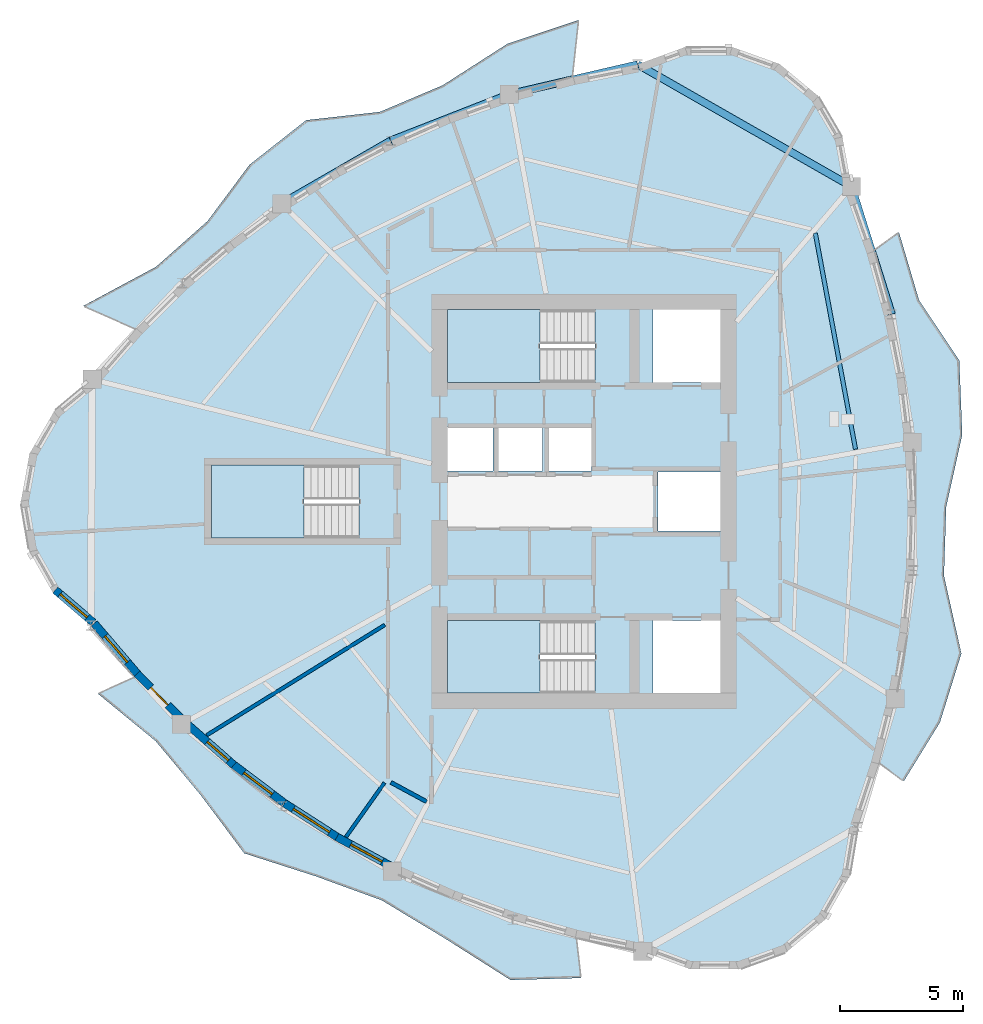
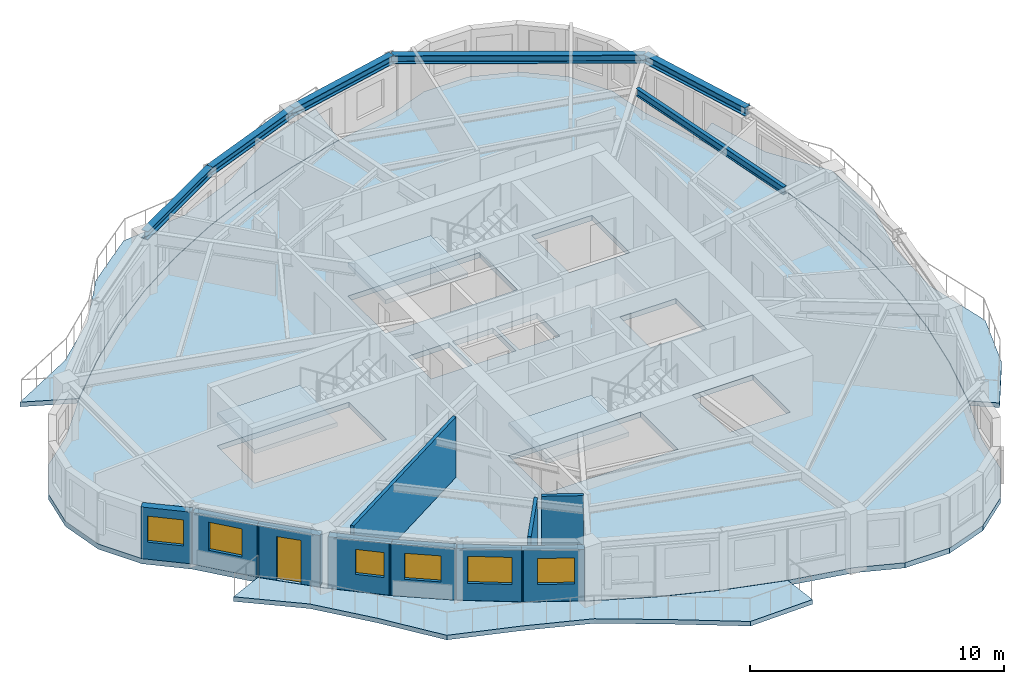
# One storey, part 2 of 12: 10 walls, 7 slabs, 6 beams, 6 windows, 1 door, 7 openings, 3 elements without a shape of their own.
"""IFC4 building model written with IfcOpenShell, lengths in metres."""

from ifc_helpers import new_model, si_unit, direction, frame, frame_2d, origin, origin_2d, place, context, subcontext, project, spatial, polyline, rectangle, i_section, outline, extrude, source, transform, mapped, material, layer, layer_set, material_profile, profile_set, type_object, element, fill, aggregate, save


model = new_model("IFC4")

# Units and contexts
model_context = context("Model", 3, precision=1e-05, world=origin(), true_north=direction((0.0, 1.0)))
body_context = subcontext(model_context, "Body", "Model", "MODEL_VIEW")
ifc_project = project(units=[si_unit("LENGTHUNIT", "METRE"), si_unit("AREAUNIT", "SQUARE_METRE"), si_unit("VOLUMEUNIT", "CUBIC_METRE"), si_unit("PLANEANGLEUNIT", "RADIAN"), si_unit("MASSUNIT", "GRAM", prefix="KILO")], contexts=[model_context])

# Site, building, storey
site_placement = place(None, origin())
site = spatial("IfcSite", under=ifc_project, at=site_placement, CompositionType="ELEMENT")
building_placement = place(site_placement, origin())
building = spatial("IfcBuilding", under=site, at=building_placement, Name="Qafzar Sky-Pleat Residences", CompositionType="ELEMENT")
storey_placement = place(building_placement, frame((0.0, 0.0, 187.39990234375)))
storey = spatial("IfcBuildingStorey", under=building, at=storey_placement, Name="L56", CompositionType="ELEMENT", Elevation=187.39990234375)

# Beams
ifc_material_1 = material(Name="Steel S355", Category="steel")
ifc_material_profile_1 = material_profile(ifc_material_1, i_section(OverallWidth=0.300048828125, OverallDepth=0.39990234375, WebThickness=0.013427734375, FlangeThickness=0.02392578125, FilletRadius=0.027099609375, at=origin_2d()), Name="HEB 400")
ifc_profile_set_1 = profile_set([ifc_material_profile_1], Name="Steel S355")
beam_type_1 = type_object("IfcBeamType", Name="BM-SPAN-HEB400", PredefinedType="SPANDREL", material=ifc_profile_set_1)
shared_shape_1 = source(origin(), body_context, "Body", "SweptSolid", [
    extrude(i_section(OverallWidth=0.300048828125, OverallDepth=0.39990234375, WebThickness=0.013427734375, FlangeThickness=0.02392578125, FilletRadius=0.027099609375, at=origin_2d()), origin(), (0.0, 0.0, 1.0), 10.017578125),
])
beam_1_placement = place(storey_placement, frame((41.22900390625, 38.8125, 2.697998046875), z_axis=(-0.86844553877, 0.495784576394, 0.0), x_axis=(-0.495784576394, -0.86844553877, 0.0)))
element("IfcBeam", 1, at=beam_1_placement, inside=storey, type_object=beam_type_1, Name="L56 Perimeter Spandrel Beam 13", PredefinedType="SPANDREL", context=body_context, shape_type="MappedRepresentation", body=[
    mapped(shared_shape_1, transform((0.0, 0.0, 0.0), x_axis=(1.0, 0.0, 0.0), y_axis=(0.0, 1.0, 0.0), z_axis=(0.0, 0.0, 1.0), scale=1.0)),
])
shared_shape_2 = source(origin(), body_context, "Body", "SweptSolid", [
    extrude(i_section(OverallWidth=0.300048828125, OverallDepth=0.39990234375, WebThickness=0.013427734375, FlangeThickness=0.02392578125, FilletRadius=0.027099609375, at=origin_2d()), origin(), (0.0, 0.0, 1.0), 5.4482421875),
])
beam_2_placement = place(storey_placement, frame((42.864501953125, 33.615478515625, 2.697998046875), z_axis=(-0.300185458928, 0.95388085747, 0.0), x_axis=(-0.95388085747, -0.300185458928, 0.0)))
element("IfcBeam", 2, at=beam_2_placement, inside=storey, type_object=beam_type_1, Name="L56 Perimeter Spandrel Beam 12", PredefinedType="SPANDREL", context=body_context, shape_type="MappedRepresentation", body=[
    mapped(shared_shape_2, transform((0.0, 0.0, 0.0), x_axis=(1.0, 0.0, 0.0), y_axis=(0.0, 1.0, 0.0), z_axis=(0.0, 0.0, 1.0), scale=1.0)),
])
shared_shape_3 = source(origin(), body_context, "Body", "SweptSolid", [
    extrude(i_section(OverallWidth=0.300048828125, OverallDepth=0.39990234375, WebThickness=0.013427734375, FlangeThickness=0.02392578125, FilletRadius=0.027099609375, at=origin_2d()), origin(), (0.0, 0.0, 1.0), 5.356201171875),
])
beam_3_placement = place(storey_placement, frame((32.529296875, 43.779052734375, 2.697998046875), z_axis=(-0.974013405705, -0.226490365153, 0.0), x_axis=(0.226490365153, -0.974013405705, 0.0)))
element("IfcBeam", 3, at=beam_3_placement, inside=storey, type_object=beam_type_1, Name="L56 Perimeter Spandrel Beam 14", PredefinedType="SPANDREL", context=body_context, shape_type="MappedRepresentation", body=[
    mapped(shared_shape_3, transform((0.0, 0.0, 0.0), x_axis=(1.0, 0.0, 0.0), y_axis=(0.0, 1.0, 0.0), z_axis=(0.0, 0.0, 1.0), scale=1.0)),
])
shared_shape_4 = source(origin(), body_context, "Body", "SweptSolid", [
    extrude(i_section(OverallWidth=0.300048828125, OverallDepth=0.39990234375, WebThickness=0.013427734375, FlangeThickness=0.02392578125, FilletRadius=0.027099609375, at=origin_2d()), origin(), (0.0, 0.0, 1.0), 5.183837890625),
])
beam_4_placement = place(storey_placement, frame((27.312255859375, 42.56591796875, 2.697998046875), z_axis=(-0.931323360566, -0.36419335258, 0.0), x_axis=(0.36419335258, -0.931323360566, 0.0)))
element("IfcBeam", 4, at=beam_4_placement, inside=storey, type_object=beam_type_1, Name="L56 Perimeter Spandrel Beam 15", PredefinedType="SPANDREL", context=body_context, shape_type="MappedRepresentation", body=[
    mapped(shared_shape_4, transform((0.0, 0.0, 0.0), x_axis=(1.0, 0.0, 0.0), y_axis=(0.0, 1.0, 0.0), z_axis=(0.0, 0.0, 1.0), scale=1.0)),
])
shared_shape_5 = source(origin(), body_context, "Body", "SweptSolid", [
    extrude(i_section(OverallWidth=0.300048828125, OverallDepth=0.39990234375, WebThickness=0.013427734375, FlangeThickness=0.02392578125, FilletRadius=0.027099609375, at=origin_2d()), origin(), (0.0, 0.0, 1.0), 5.124755859375),
])
beam_5_placement = place(storey_placement, frame((22.484375, 40.677978515625, 2.697998046875), z_axis=(-0.866038823222, -0.499976756132, 0.0), x_axis=(0.499976756132, -0.866038823222, 0.0)))
element("IfcBeam", 5, at=beam_5_placement, inside=storey, type_object=beam_type_1, Name="L56 Perimeter Spandrel Beam 16", PredefinedType="SPANDREL", context=body_context, shape_type="MappedRepresentation", body=[
    mapped(shared_shape_5, transform((0.0, 0.0, 0.0), x_axis=(1.0, 0.0, 0.0), y_axis=(0.0, 1.0, 0.0), z_axis=(0.0, 0.0, 1.0), scale=1.0)),
])
ifc_material_profile_2 = material_profile(ifc_material_1, i_section(OverallWidth=0.169921875, OverallDepth=0.360107421875, WebThickness=0.008056640625, FlangeThickness=0.0126953125, FilletRadius=0.01806640625, at=origin_2d()), Name="IPE 360")
ifc_profile_set_2 = profile_set([ifc_material_profile_2], Name="Steel S355")
beam_type_2 = type_object("IfcBeamType", Name="BM-JST-IPE360", PredefinedType="JOIST", material=ifc_profile_set_2)
shared_shape_6 = source(origin(), body_context, "Body", "SweptSolid", [
    extrude(i_section(OverallWidth=0.169921875, OverallDepth=0.360107421875, WebThickness=0.008056640625, FlangeThickness=0.0126953125, FilletRadius=0.01806640625, at=origin_2d()), origin(), (0.0, 0.0, 1.0), 8.9375),
])
beam_6_placement = place(storey_placement, frame((41.392333984375, 28.1298828125, 2.718017578125), z_axis=(-0.183018436338, 0.983109481167, 0.0), x_axis=(-0.983109481167, -0.183018436338, 0.0)))
element("IfcBeam", 6, at=beam_6_placement, inside=storey, type_object=beam_type_2, Name="L56 Outer Secondary Floor Joist 6", PredefinedType="JOIST", context=body_context, shape_type="MappedRepresentation", body=[
    mapped(shared_shape_6, transform((0.0, 0.0, 0.0), x_axis=(1.0, 0.0, 0.0), y_axis=(0.0, 1.0, 0.0), z_axis=(0.0, 0.0, 1.0), scale=1.0)),
])

# Slabs
ifc_material_2 = material(Name="Concrete C40/50", Category="concrete")
ifc_layer_1 = layer(ifc_material_2, 0.219970703125)
ifc_layer_set_1 = layer_set([ifc_layer_1], Name="Concrete C40/50")
slab_type_1 = type_object("IfcSlabType", Name="SLAB-BAL-220", PredefinedType="USERDEFINED", material=ifc_layer_set_1)
slab_1_placement = place(storey_placement, frame((0.0, 0.0, -0.219970703125)))
element("IfcSlab", 7, at=slab_1_placement, inside=storey, type_object=slab_type_1, Name="L56 Pleated Stone Balcony 1", ObjectType="BALCONY", PredefinedType="USERDEFINED", context=body_context, shape_type="SweptSolid", body=[
    extrude(outline(polyline([(43.027099609375, 17.9716796875), (43.497802734375, 20.58447265625), (43.77001953125, 23.195556640625), (43.843994140625, 25.804931640625), (43.719482421875, 28.412109375), (43.396484375, 31.017578125), (42.875, 33.620849609375), (42.155517578125, 36.221923828125), (43.1591796875, 36.94677734375), (43.976806640625, 34.185302734375), (45.612548828125, 31.73974609375), (45.73388671875, 28.72119140625), (45.081787109375, 25.78955078125), (44.989013671875, 22.978759765625), (45.697998046875, 19.815673828125), (44.82470703125, 17.011474609375), (43.352783203125, 14.619873046875), (42.358154296875, 15.357177734375), (43.027099609375, 17.9716796875)])), origin(), (0.0, 0.0, 1.0), 0.219970703125),
])
slab_2_placement = place(storey_placement, frame((0.0, 0.0, -0.219970703125)))
element("IfcSlab", 8, at=slab_2_placement, inside=storey, type_object=slab_type_1, Name="L56 Pleated Stone Balcony 2", ObjectType="BALCONY", PredefinedType="USERDEFINED", context=body_context, shape_type="SweptSolid", body=[
    extrude(outline(polyline([(27.311767578125, 42.577880859375), (24.84716796875, 41.71826171875), (22.480224609375, 40.689208984375), (20.210693359375, 39.49169921875), (18.03857421875, 38.125), (15.964111328125, 36.58935546875), (13.9873046875, 34.885009765625), (12.108154296875, 33.011962890625), (9.9755859375, 33.952880859375), (12.941650390625, 35.548095703125), (15.03466796875, 37.4072265625), (16.744873046875, 39.69970703125), (19.045166015625, 41.510009765625), (22.044677734375, 41.84814453125), (24.603759765625, 42.931884765625), (27.227294921875, 44.614013671875), (30.124755859375, 45.586181640625), (29.873291015625, 43.268798828125), (27.311767578125, 42.577880859375)])), origin(), (0.0, 0.0, 1.0), 0.219970703125),
])
slab_3_placement = place(storey_placement, frame((0.0, 0.0, -0.219970703125)))
element("IfcSlab", 9, at=slab_3_placement, inside=storey, type_object=slab_type_1, Name="L56 Pleated Stone Balcony 3", ObjectType="BALCONY", PredefinedType="USERDEFINED", context=body_context, shape_type="SweptSolid", body=[
    extrude(outline(polyline([(13.962646484375, 16.92822265625), (15.95654296875, 15.175048828125), (18.05126953125, 13.5927734375), (20.2470703125, 12.18115234375), (22.543701171875, 10.940673828125), (24.941162109375, 9.870849609375), (27.439208984375, 8.971923828125), (30.037841796875, 8.243896484375), (30.224609375, 6.61669921875), (27.35888671875, 6.535400390625), (24.635986328125, 8.26171875), (22.121826171875, 9.776611328125), (19.445556640625, 10.752685546875), (16.526123046875, 11.690673828125), (14.73828125, 14.080078125), (12.9228515625, 16.256103515625), (10.5751953125, 18.181396484375), (12.06982421875, 18.851806640625), (13.962646484375, 16.92822265625)])), origin(), (0.0, 0.0, 1.0), 0.219970703125),
])
ifc_layer_2 = layer(ifc_material_2, 0.25)
ifc_layer_set_2 = layer_set([ifc_layer_2], Name="Concrete C40/50")
slab_type_2 = type_object("IfcSlabType", Name="SLAB-FLR-250", PredefinedType="FLOOR", material=ifc_layer_set_2)
slab_4_placement = place(storey_placement, frame((0.0, 0.0, -0.25)))
element("IfcSlab", 10, at=slab_4_placement, inside=storey, type_object=slab_type_2, Name="L56 Structural Floor Slab", PredefinedType="FLOOR", context=body_context, shape_type="SweptSolid", body=[
    extrude(outline(polyline([(10.338134765625, 30.967041015625), (8.801025390625, 29.679443359375), (7.79443359375, 27.9453125), (7.438232421875, 25.972412109375), (7.775146484375, 23.99560546875), (8.764892578125, 22.251953125), (10.289306640625, 20.94970703125), (12.080810546875, 18.856689453125), (13.97265625, 16.934814453125), (15.96533203125, 15.18310546875), (18.058837890625, 13.60205078125), (20.2529296875, 12.191650390625), (22.547607421875, 10.951904296875), (24.943359375, 9.8828125), (27.439453125, 8.98388671875), (30.03662109375, 8.255859375), (32.734130859375, 7.698486328125), (34.638671875, 6.98779296875), (36.67138671875, 6.977783203125), (38.582763671875, 7.669921875), (40.137939453125, 8.979248046875), (41.145751953125, 10.74462890625), (41.482666015625, 12.749267578125), (42.3486328125, 15.3642578125), (43.0166015625, 17.977294921875), (43.486328125, 20.58837890625), (43.75830078125, 23.19775390625), (43.831787109375, 25.804931640625), (43.70751953125, 28.410400390625), (43.385009765625, 31.013916015625), (42.864501953125, 33.615478515625), (42.145751953125, 36.21484375), (41.22900390625, 38.8125), (40.86328125, 40.783935546875), (39.84814453125, 42.51318359375), (38.304931640625, 43.793212890625), (36.41796875, 44.47119140625), (34.4130859375, 44.46630859375), (32.529296875, 43.779052734375), (29.8720703125, 43.2568359375), (27.312255859375, 42.56591796875), (24.849609375, 41.706298828125), (22.484375, 40.677978515625), (20.216552734375, 39.481201171875), (18.046142578125, 38.11572265625), (15.97314453125, 36.58154296875), (13.997314453125, 34.878662109375), (12.119140625, 33.007080078125), (10.338134765625, 30.967041015625)]), holes=[polyline([(30.797119140625, 21.14990234375), (24.800048828125, 21.14990234375), (24.800048828125, 18.199951171875), (30.797119140625, 18.199951171875), (30.797119140625, 21.14990234375)]), polyline([(30.797119140625, 33.800048828125), (24.800048828125, 33.800048828125), (24.800048828125, 30.85009765625), (30.797119140625, 30.85009765625), (30.797119140625, 33.800048828125)]), polyline([(21.197021484375, 27.47509765625), (15.199951171875, 27.47509765625), (15.199951171875, 24.52490234375), (21.197021484375, 24.52490234375), (21.197021484375, 27.47509765625)]), polyline([(24.800048828125, 27.25), (26.64990234375, 27.25), (26.64990234375, 29.050048828125), (24.800048828125, 29.050048828125), (24.800048828125, 27.25)]), polyline([(26.800048828125, 27.25), (28.64990234375, 27.25), (28.64990234375, 29.050048828125), (26.800048828125, 29.050048828125), (26.800048828125, 27.25)]), polyline([(28.800048828125, 27.25), (30.64990234375, 27.25), (30.64990234375, 29.050048828125), (28.800048828125, 29.050048828125), (28.800048828125, 27.25)]), polyline([(33.14990234375, 18.199951171875), (35.89990234375, 18.199951171875), (35.89990234375, 21.14990234375), (33.14990234375, 21.14990234375), (33.14990234375, 18.199951171875)]), polyline([(33.14990234375, 30.85009765625), (35.89990234375, 30.85009765625), (35.89990234375, 33.800048828125), (33.14990234375, 33.800048828125), (33.14990234375, 30.85009765625)]), polyline([(33.35009765625, 24.800048828125), (35.89990234375, 24.800048828125), (35.89990234375, 27.199951171875), (33.35009765625, 27.199951171875), (33.35009765625, 24.800048828125)])]), origin(), (0.0, 0.0, 1.0), 0.25),
])

# Stair, slab
stair_type = type_object("IfcStairType", Name="STAIR-H320", PredefinedType="HALF_TURN_STAIR", material=ifc_material_2)
stair_1_placement = place(storey_placement, origin())
stair_1 = element("IfcStair", 11, at=stair_1_placement, inside=storey, type_object=stair_type, Name="L56 Protected Exit Stair ST1", PredefinedType="HALF_TURN_STAIR")
ifc_layer_3 = layer(ifc_material_2, 0.199951171875)
ifc_layer_set_3 = layer_set([ifc_layer_3], Name="Concrete C40/50")
slab_type_3 = type_object("IfcSlabType", Name="SLAB-LANDING-200", PredefinedType="LANDING", material=ifc_layer_set_3)
slab_5_placement = place(storey_placement, frame((0.0, 0.0, 1.400146484375)))
slab_5 = element("IfcSlab", 12, at=slab_5_placement, type_object=slab_type_3, Name="ST1 landing 1", PredefinedType="LANDING", context=body_context, shape_type="SweptSolid", body=[
    extrude(outline(polyline([(28.56005859375, 21.14990234375), (24.800048828125, 21.14990234375), (24.800048828125, 18.199951171875), (28.56005859375, 18.199951171875), (28.56005859375, 21.14990234375)])), origin(), (0.0, 0.0, 1.0), 0.199951171875),
])
aggregate(stair_1, [slab_5])

stair_2_placement = place(storey_placement, origin())
stair_2 = element("IfcStair", 13, at=stair_2_placement, inside=storey, type_object=stair_type, Name="L56 Protected Exit Stair ST2", PredefinedType="HALF_TURN_STAIR")
slab_6_placement = place(storey_placement, frame((0.0, 0.0, 1.400146484375)))
slab_6 = element("IfcSlab", 14, at=slab_6_placement, type_object=slab_type_3, Name="ST2 landing 1", PredefinedType="LANDING", context=body_context, shape_type="SweptSolid", body=[
    extrude(outline(polyline([(28.56005859375, 33.800048828125), (24.800048828125, 33.800048828125), (24.800048828125, 30.85009765625), (28.56005859375, 30.85009765625), (28.56005859375, 33.800048828125)])), origin(), (0.0, 0.0, 1.0), 0.199951171875),
])
aggregate(stair_2, [slab_6])

stair_3_placement = place(storey_placement, origin())
stair_3 = element("IfcStair", 15, at=stair_3_placement, inside=storey, type_object=stair_type, Name="L56 Protected Exit Stair ST3", PredefinedType="HALF_TURN_STAIR")
slab_7_placement = place(storey_placement, frame((0.0, 0.0, 1.400146484375)))
slab_7 = element("IfcSlab", 16, at=slab_7_placement, type_object=slab_type_3, Name="ST3 landing 1", PredefinedType="LANDING", context=body_context, shape_type="SweptSolid", body=[
    extrude(outline(polyline([(18.9599609375, 27.47509765625), (15.199951171875, 27.47509765625), (15.199951171875, 24.52490234375), (18.9599609375, 24.52490234375), (18.9599609375, 27.47509765625)])), origin(), (0.0, 0.0, 1.0), 0.199951171875),
])
aggregate(stair_3, [slab_7])

# Walls
ifc_material_3 = material(Name="Acoustic gypsum plasterboard partition", Category="gypsum")
ifc_layer_4 = layer(ifc_material_3, 0.159912109375)
ifc_layer_set_4 = layer_set([ifc_layer_4], Name="Acoustic gypsum plasterboard partition")
wall_type_1 = type_object("IfcWallType", Name="PART-COR-160", PredefinedType="PARTITIONING", material=ifc_layer_set_4)
wall_1_placement = place(storey_placement, frame((22.4951171875, 14.572509765625, 0.0), z_axis=(0.0, 0.0, 1.0), x_axis=(0.879785217584, -0.475371403137, 0.0)))
element("IfcWall", 17, at=wall_1_placement, inside=storey, type_object=wall_type_1, Name="L56 Partition Wall PART-L56-PW-023", PredefinedType="PARTITIONING", context=body_context, shape_type="SweptSolid", body=[
    extrude(rectangle(XDim=1.648193359375, YDim=0.159912109375, at=frame_2d((0.82421875, 0.0))), origin(), (0.0, 0.0, 1.0), 2.900146484375),
])
ifc_layer_5 = layer(ifc_material_3, 0.14501953125)
ifc_layer_set_5 = layer_set([ifc_layer_5], Name="Acoustic gypsum plasterboard partition")
wall_type_2 = type_object("IfcWallType", Name="PART-UNIT-145", PredefinedType="PARTITIONING", material=ifc_layer_set_5)
wall_2_placement = place(storey_placement, frame((15.002197265625, 16.494140625, 0.0), z_axis=(0.0, 0.0, 1.0), x_axis=(0.850179022177, 0.5264937134, 0.0)))
element("IfcWall", 18, at=wall_2_placement, inside=storey, type_object=wall_type_2, Name="L56 Partition Wall PART-L56-PW-012", PredefinedType="PARTITIONING", context=body_context, shape_type="SweptSolid", body=[
    extrude(rectangle(XDim=8.519287109375, YDim=0.14501953125, at=frame_2d((4.259765625, 0.0))), origin(), (0.0, 0.0, 1.0), 2.900146484375),
])
wall_3_placement = place(storey_placement, frame((20.663818359375, 12.352294921875, 0.0), z_axis=(0.0, 0.0, 1.0), x_axis=(0.578847584957, 0.815435756752, 0.0)))
element("IfcWall", 19, at=wall_3_placement, inside=storey, type_object=wall_type_2, Name="L56 Partition Wall PART-L56-PW-022", PredefinedType="PARTITIONING", context=body_context, shape_type="SweptSolid", body=[
    extrude(rectangle(XDim=2.707763671875, YDim=0.14501953125, at=frame_2d((1.35400390625, 0.0))), origin(), (0.0, 0.0, 1.0), 2.900146484375),
])

# Wall, opening, window
ifc_material_4 = material(Name="Precast concrete C40/50 with honed Riyadh limestone", Category="concrete")
ifc_layer_6 = layer(ifc_material_4, 0.320068359375)
ifc_layer_set_6 = layer_set([ifc_layer_6], Name="Precast concrete C40/50 with honed Riyadh limestone")
wall_type_3 = type_object("IfcWallType", Name="WALL-EXT-320", PredefinedType="SOLIDWALL", material=ifc_layer_set_6)
wall_4_placement = place(storey_placement, frame((8.840087890625, 22.398193359375, 0.0), z_axis=(0.0, 0.0, 1.0), x_axis=(0.760328975209, -0.649538181678, 0.0)))
wall_4 = element("IfcWall", 20, at=wall_4_placement, inside=storey, type_object=wall_type_3, Name="L56 Limestone Facade Wall 6", PredefinedType="SOLIDWALL", context=body_context, shape_type="SweptSolid", body=[
    extrude(rectangle(XDim=2.02294921875, YDim=0.320068359375, at=frame_2d((1.011474609375, 0.0))), origin(), (0.0, 0.0, 1.0), 2.47998046875),
])
opening_1_placement = place(wall_4_placement, frame((0.256591796875, 0.0, 0.820068359375)))
opening_1 = element("IfcOpeningElement", 21, at=opening_1_placement, cuts=wall_4, Name="Opening WN-15", PredefinedType="OPENING", context=body_context, shape_type="SweptSolid", body=[
    extrude(rectangle(XDim=1.449951171875, YDim=1.25, at=frame_2d((0.72509765625, 0.625))), frame((0.0, 0.169921875, 0.0), z_axis=(0.0, -1.0, 0.0), x_axis=(1.0, 0.0, 0.0)), (0.0, 0.0, 1.0), 0.340087890625),
])
ifc_material_5 = material(Name="Solar-control low-E glass in bronze aluminium frame", Category="glass")
window_type_1 = type_object("IfcWindowType", Name="WIN-15", PartitioningType="SINGLE_PANEL", PredefinedType="WINDOW", material=ifc_material_5)
shared_shape_7 = source(origin(), body_context, "Body", "SweptSolid", [
    extrude(rectangle(XDim=1.449951171875, YDim=1.25, at=frame_2d((0.72509765625, 0.625))), frame((0.0, 0.030029296875, 0.0), z_axis=(0.0, -1.0, 0.0), x_axis=(1.0, 0.0, 0.0)), (0.0, 0.0, 1.0), 0.06005859375),
])
window_1_placement = place(opening_1_placement, origin())
window_1 = element("IfcWindow", 22, at=window_1_placement, inside=storey, type_object=window_type_1, Name="L56 Punched Facade Window 06", OverallHeight=1.25, OverallWidth=1.449951171875, PartitioningType="SINGLE_PANEL", PredefinedType="WINDOW", context=body_context, shape_type="MappedRepresentation", body=[
    mapped(shared_shape_7, transform((0.0, 0.0, 0.0), x_axis=(1.0, 0.0, 0.0), y_axis=(0.0, 1.0, 0.0), z_axis=(0.0, 0.0, 1.0), scale=1.0)),
])
fill(opening_1, window_1)

wall_5_placement = place(storey_placement, frame((10.424072265625, 21.038330078125, 0.0), z_axis=(0.0, 0.0, 1.0), x_axis=(0.650261869135, -0.759710143114, 0.0)))
wall_5 = element("IfcWall", 23, at=wall_5_placement, inside=storey, type_object=wall_type_3, Name="L56 Limestone Facade Wall 7", PredefinedType="SOLIDWALL", context=body_context, shape_type="SweptSolid", body=[
    extrude(rectangle(XDim=2.772705078125, YDim=0.320068359375, at=frame_2d((1.38623046875, 0.0))), origin(), (0.0, 0.0, 1.0), 2.47998046875),
])
opening_2_placement = place(wall_5_placement, frame((0.676513671875, 0.0, 0.820068359375)))
opening_2 = element("IfcOpeningElement", 24, at=opening_2_placement, cuts=wall_5, Name="Opening WN-10", PredefinedType="OPENING", context=body_context, shape_type="SweptSolid", body=[
    extrude(rectangle(XDim=1.39990234375, YDim=1.35009765625, at=frame_2d((0.699951171875, 0.675048828125))), frame((0.0, 0.169921875, 0.0), z_axis=(0.0, -1.0, 0.0), x_axis=(1.0, 0.0, 0.0)), (0.0, 0.0, 1.0), 0.340087890625),
])
window_type_2 = type_object("IfcWindowType", Name="WIN-10", PartitioningType="SINGLE_PANEL", PredefinedType="WINDOW", material=ifc_material_5)
shared_shape_8 = source(origin(), body_context, "Body", "SweptSolid", [
    extrude(rectangle(XDim=1.39990234375, YDim=1.35009765625, at=frame_2d((0.699951171875, 0.675048828125))), frame((0.0, 0.030029296875, 0.0), z_axis=(0.0, -1.0, 0.0), x_axis=(1.0, 0.0, 0.0)), (0.0, 0.0, 1.0), 0.06005859375),
])
window_2_placement = place(opening_2_placement, origin())
window_2 = element("IfcWindow", 25, at=window_2_placement, inside=storey, type_object=window_type_2, Name="L56 Punched Facade Window 07", OverallHeight=1.35009765625, OverallWidth=1.39990234375, PartitioningType="SINGLE_PANEL", PredefinedType="WINDOW", context=body_context, shape_type="MappedRepresentation", body=[
    mapped(shared_shape_8, transform((0.0, 0.0, 0.0), x_axis=(1.0, 0.0, 0.0), y_axis=(0.0, 1.0, 0.0), z_axis=(0.0, 0.0, 1.0), scale=1.0)),
])
fill(opening_2, window_2)

# Wall, opening, door
wall_6_placement = place(storey_placement, frame((12.168212890625, 18.99609375, 0.0), z_axis=(0.0, 0.0, 1.0), x_axis=(0.701479569818, -0.712689562943, 0.0)))
wall_6 = element("IfcWall", 26, at=wall_6_placement, inside=storey, type_object=wall_type_3, Name="L56 Limestone Facade Wall 8", PredefinedType="SOLIDWALL", context=body_context, shape_type="SweptSolid", body=[
    extrude(rectangle(XDim=2.56982421875, YDim=0.320068359375, at=frame_2d((1.284912109375, 0.0))), origin(), (0.0, 0.0, 1.0), 2.47998046875),
])
opening_3_placement = place(wall_6_placement, frame((0.7900390625, 0.0, 0.0)))
opening_3 = element("IfcOpeningElement", 27, at=opening_3_placement, cuts=wall_6, Name="Opening ED-05", PredefinedType="OPENING", context=body_context, shape_type="SweptSolid", body=[
    extrude(rectangle(XDim=1.0, YDim=2.10009765625, at=frame_2d((0.5, 1.050048828125))), frame((0.0, 0.169921875, 0.0), z_axis=(0.0, -1.0, 0.0), x_axis=(1.0, 0.0, 0.0)), (0.0, 0.0, 1.0), 0.340087890625),
])
ifc_material_6 = material(Name="Glazed bronze aluminium door", Category="aluminium")
door_type = type_object("IfcDoorType", Name="DR-BAL-1000", OperationType="NOTDEFINED", PredefinedType="DOOR", material=ifc_material_6)
shared_shape_9 = source(origin(), body_context, "Body", "SweptSolid", [
    extrude(rectangle(XDim=1.0, YDim=2.10009765625, at=frame_2d((0.5, 1.050048828125))), frame((0.0, 0.02490234375, 0.0), z_axis=(0.0, -1.0, 0.0), x_axis=(1.0, 0.0, 0.0)), (0.0, 0.0, 1.0), 0.050048828125),
])
door_placement = place(opening_3_placement, origin())
door = element("IfcDoor", 28, at=door_placement, inside=storey, type_object=door_type, Name="L56 Glazed Balcony Door 3", OperationType="SINGLE_SWING_RIGHT", OverallHeight=2.10009765625, OverallWidth=1.0, PredefinedType="DOOR", context=body_context, shape_type="MappedRepresentation", body=[
    mapped(shared_shape_9, transform((0.0, 0.0, 0.0), x_axis=(1.0, 0.0, 0.0), y_axis=(0.0, 1.0, 0.0), z_axis=(0.0, 0.0, 1.0), scale=1.0)),
])
fill(opening_3, door)

# Wall, opening, window
wall_7_placement = place(storey_placement, frame((14.202392578125, 16.94580078125, 0.0), z_axis=(0.0, 0.0, 1.0), x_axis=(0.751119873672, -0.660165839297, 0.0)))
wall_7 = element("IfcWall", 29, at=wall_7_placement, inside=storey, type_object=wall_type_3, Name="L56 Limestone Facade Wall 9", PredefinedType="SOLIDWALL", context=body_context, shape_type="SweptSolid", body=[
    extrude(rectangle(XDim=2.52587890625, YDim=0.320068359375, at=frame_2d((1.262939453125, 0.0))), origin(), (0.0, 0.0, 1.0), 2.47998046875),
])
opening_4_placement = place(wall_7_placement, frame((1.091796875, 0.0, 0.820068359375)))
opening_4 = element("IfcOpeningElement", 30, at=opening_4_placement, cuts=wall_7, Name="Opening WN-16", PredefinedType="OPENING", context=body_context, shape_type="SweptSolid", body=[
    extrude(rectangle(XDim=1.14990234375, YDim=1.199951171875, at=frame_2d((0.574951171875, 0.60009765625))), frame((0.0, 0.169921875, 0.0), z_axis=(0.0, -1.0, 0.0), x_axis=(1.0, 0.0, 0.0)), (0.0, 0.0, 1.0), 0.340087890625),
])
window_type_3 = type_object("IfcWindowType", Name="WIN-16", PartitioningType="SINGLE_PANEL", PredefinedType="WINDOW", material=ifc_material_5)
shared_shape_10 = source(origin(), body_context, "Body", "SweptSolid", [
    extrude(rectangle(XDim=1.14990234375, YDim=1.199951171875, at=frame_2d((0.574951171875, 0.60009765625))), frame((0.0, 0.030029296875, 0.0), z_axis=(0.0, -1.0, 0.0), x_axis=(1.0, 0.0, 0.0)), (0.0, 0.0, 1.0), 0.06005859375),
])
window_3_placement = place(opening_4_placement, origin())
window_3 = element("IfcWindow", 31, at=window_3_placement, inside=storey, type_object=window_type_3, Name="L56 Punched Facade Window 09-2", OverallHeight=1.199951171875, OverallWidth=1.14990234375, PartitioningType="SINGLE_PANEL", PredefinedType="WINDOW", context=body_context, shape_type="MappedRepresentation", body=[
    mapped(shared_shape_10, transform((0.0, 0.0, 0.0), x_axis=(1.0, 0.0, 0.0), y_axis=(0.0, 1.0, 0.0), z_axis=(0.0, 0.0, 1.0), scale=1.0)),
])
fill(opening_4, window_3)

wall_8_placement = place(storey_placement, frame((16.031494140625, 15.333740234375, 0.0), z_axis=(0.0, 0.0, 1.0), x_axis=(0.797976962718, -0.602687951573, 0.0)))
wall_8 = element("IfcWall", 32, at=wall_8_placement, inside=storey, type_object=wall_type_3, Name="L56 Limestone Facade Wall 10", PredefinedType="SOLIDWALL", context=body_context, shape_type="SweptSolid", body=[
    extrude(rectangle(XDim=2.6416015625, YDim=0.320068359375, at=frame_2d((1.32080078125, 0.0))), origin(), (0.0, 0.0, 1.0), 2.47998046875),
])
opening_5_placement = place(wall_8_placement, frame((0.605712890625, 0.0, 0.820068359375)))
opening_5 = element("IfcOpeningElement", 33, at=opening_5_placement, cuts=wall_8, Name="Opening WN-15", PredefinedType="OPENING", context=body_context, shape_type="SweptSolid", body=[
    extrude(rectangle(XDim=1.449951171875, YDim=1.25, at=frame_2d((0.72509765625, 0.625))), frame((0.0, 0.169921875, 0.0), z_axis=(0.0, -1.0, 0.0), x_axis=(1.0, 0.0, 0.0)), (0.0, 0.0, 1.0), 0.340087890625),
])
window_4_placement = place(opening_5_placement, origin())
window_4 = element("IfcWindow", 34, at=window_4_placement, inside=storey, type_object=window_type_1, Name="L56 Punched Facade Window 10", OverallHeight=1.25, OverallWidth=1.449951171875, PartitioningType="SINGLE_PANEL", PredefinedType="WINDOW", context=body_context, shape_type="MappedRepresentation", body=[
    mapped(shared_shape_7, transform((0.0, 0.0, 0.0), x_axis=(1.0, 0.0, 0.0), y_axis=(0.0, 1.0, 0.0), z_axis=(0.0, 0.0, 1.0), scale=1.0)),
])
fill(opening_5, window_4)

wall_9_placement = place(storey_placement, frame((18.162109375, 13.725830078125, 0.0), z_axis=(0.0, 0.0, 1.0), x_axis=(0.841187536261, -0.540743496345, 0.0)))
wall_9 = element("IfcWall", 35, at=wall_9_placement, inside=storey, type_object=wall_type_3, Name="L56 Limestone Facade Wall 11", PredefinedType="SOLIDWALL", context=body_context, shape_type="SweptSolid", body=[
    extrude(rectangle(XDim=2.626220703125, YDim=0.320068359375, at=frame_2d((1.31298828125, 0.0))), origin(), (0.0, 0.0, 1.0), 2.47998046875),
])
opening_6_placement = place(wall_9_placement, frame((0.42822265625, 0.0, 0.820068359375)))
opening_6 = element("IfcOpeningElement", 36, at=opening_6_placement, cuts=wall_9, Name="Opening WN-14", PredefinedType="OPENING", context=body_context, shape_type="SweptSolid", body=[
    extrude(rectangle(XDim=1.75, YDim=1.300048828125, at=frame_2d((0.875, 0.64990234375))), frame((0.0, 0.169921875, 0.0), z_axis=(0.0, -1.0, 0.0), x_axis=(1.0, 0.0, 0.0)), (0.0, 0.0, 1.0), 0.340087890625),
])
window_type_4 = type_object("IfcWindowType", Name="WIN-14", PartitioningType="DOUBLE_PANEL_VERTICAL", PredefinedType="WINDOW", material=ifc_material_5)
shared_shape_11 = source(origin(), body_context, "Body", "SweptSolid", [
    extrude(rectangle(XDim=1.75, YDim=1.300048828125, at=frame_2d((0.875, 0.64990234375))), frame((0.0, 0.030029296875, 0.0), z_axis=(0.0, -1.0, 0.0), x_axis=(1.0, 0.0, 0.0)), (0.0, 0.0, 1.0), 0.06005859375),
])
window_5_placement = place(opening_6_placement, origin())
window_5 = element("IfcWindow", 37, at=window_5_placement, inside=storey, type_object=window_type_4, Name="L56 Punched Facade Window 11", OverallHeight=1.300048828125, OverallWidth=1.75, PartitioningType="SINGLE_PANEL", PredefinedType="WINDOW", context=body_context, shape_type="MappedRepresentation", body=[
    mapped(shared_shape_11, transform((0.0, 0.0, 0.0), x_axis=(1.0, 0.0, 0.0), y_axis=(0.0, 1.0, 0.0), z_axis=(0.0, 0.0, 1.0), scale=1.0)),
])
fill(opening_6, window_5)

wall_10_placement = place(storey_placement, frame((20.29541015625, 12.3505859375, 0.0), z_axis=(0.0, 0.0, 1.0), x_axis=(0.879809944858, -0.475325636726, 0.0)))
wall_10 = element("IfcWall", 38, at=wall_10_placement, inside=storey, type_object=wall_type_3, Name="L56 Limestone Facade Wall 12", PredefinedType="SOLIDWALL", context=body_context, shape_type="SweptSolid", body=[
    extrude(rectangle(XDim=2.4814453125, YDim=0.320068359375, at=frame_2d((1.24072265625, 0.0))), origin(), (0.0, 0.0, 1.0), 2.47998046875),
])
opening_7_placement = place(wall_10_placement, frame((0.640625, 0.0, 0.820068359375)))
opening_7 = element("IfcOpeningElement", 39, at=opening_7_placement, cuts=wall_10, Name="Opening WN-15", PredefinedType="OPENING", context=body_context, shape_type="SweptSolid", body=[
    extrude(rectangle(XDim=1.449951171875, YDim=1.25, at=frame_2d((0.72509765625, 0.625))), frame((0.0, 0.169921875, 0.0), z_axis=(0.0, -1.0, 0.0), x_axis=(1.0, 0.0, 0.0)), (0.0, 0.0, 1.0), 0.340087890625),
])
window_6_placement = place(opening_7_placement, origin())
window_6 = element("IfcWindow", 40, at=window_6_placement, inside=storey, type_object=window_type_1, Name="L56 Punched Facade Window 12", OverallHeight=1.25, OverallWidth=1.449951171875, PartitioningType="SINGLE_PANEL", PredefinedType="WINDOW", context=body_context, shape_type="MappedRepresentation", body=[
    mapped(shared_shape_7, transform((0.0, 0.0, 0.0), x_axis=(1.0, 0.0, 0.0), y_axis=(0.0, 1.0, 0.0), z_axis=(0.0, 0.0, 1.0), scale=1.0)),
])
fill(opening_7, window_6)

save(model, "model.ifc")
